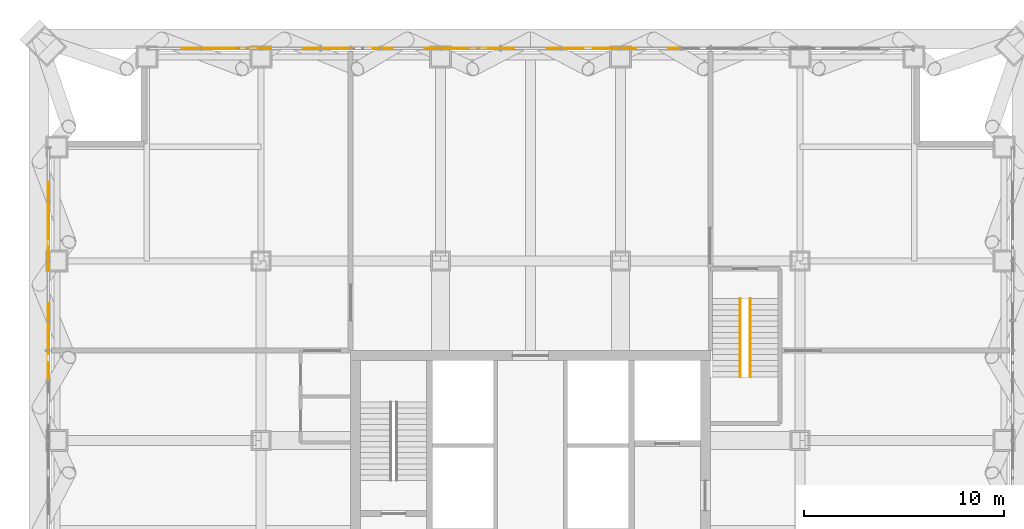
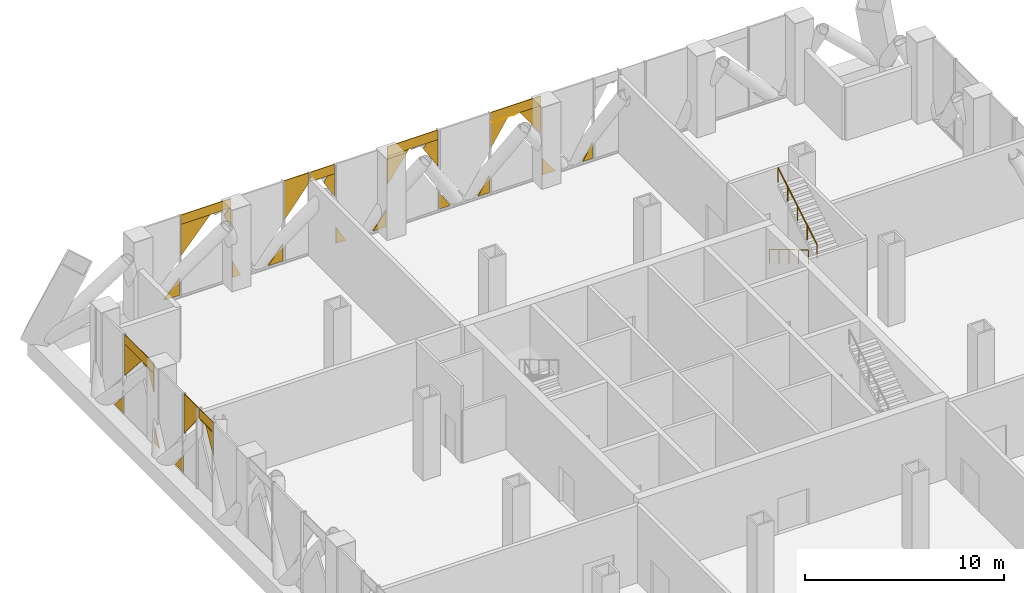
# One storey, part 18 of 29: 33 coverings, 2 railings.
"""IFC4 building model written with IfcOpenShell, lengths in metres."""

import ifcopenshell
import ifcopenshell.guid

model = None  # the IFC model being written
_history = None  # IfcOwnerHistory: only IFC2X3 demands one
_inside = {}  # id of a spatial element -> (the spatial element, [elements in it])
_under = {}  # id of a project, library or spatial element -> (it, [spatial elements below it])
_declared = {}  # id of a project -> (the project, [libraries it declares])
_typed = {}  # id of a type object -> (the type object, [elements of that type])
_made_of = {}  # id of a material, layer set ... -> (it, [elements and type objects made of it])


def new_model(schema):
    """Start an empty IFC model of exactly this schema.

    Asked for "IFC4X3", IfcOpenShell would pick the latest addendum, in which some entities
    have other attributes; the version numbers below select the first issue.
    IFC2X3 requires an IfcOwnerHistory on every rooted entity: one is made here for all.
    """
    global model, _history
    if schema == "IFC4X3":
        model = ifcopenshell.file(schema_version=(4, 3, 0, 0))
    else:
        model = ifcopenshell.file(schema=schema)
    _inside.clear()
    _under.clear()
    _declared.clear()
    _typed.clear()
    _made_of.clear()
    _history = None
    if model.schema == "IFC2X3":
        org = make("IfcOrganization", Name="unknown")
        user = make(
            "IfcPersonAndOrganization",
            ThePerson=make("IfcPerson", FamilyName="unknown"),
            TheOrganization=org,
        )
        app = make(
            "IfcApplication",
            ApplicationDeveloper=org,
            Version="unknown",
            ApplicationFullName="unknown",
            ApplicationIdentifier="unknown",
        )
        _history = make(
            "IfcOwnerHistory",
            OwningUser=user,
            OwningApplication=app,
            ChangeAction="ADDED",
            CreationDate=0,
        )
    return model


def make(cls, **values):
    """One entity of the class cls with the attributes given. An attribute that is None is left unset."""
    return model.create_entity(
        cls, **{name: value for name, value in values.items() if value is not None}
    )


def rooted(cls, **values):
    """An entity with a GlobalId (a new one), such as an element, a storey or a relation."""
    return make(cls, GlobalId=ifcopenshell.guid.new(), OwnerHistory=_history, **values)


def si_unit(unit_type, name, prefix=None):
    """IfcSIUnit, for example si_unit("LENGTHUNIT", "METRE", prefix="MILLI")."""
    return make("IfcSIUnit", UnitType=unit_type, Prefix=prefix, Name=name)


def assignment(units):
    """IfcUnitAssignment: the units of a project."""
    return None if units is None else make("IfcUnitAssignment", Units=units)


def point(xyz):
    """IfcCartesianPoint."""
    return None if xyz is None else make("IfcCartesianPoint", Coordinates=xyz)


def direction(xyz):
    """IfcDirection."""
    return None if xyz is None else make("IfcDirection", DirectionRatios=xyz)


def frame(location, z_axis=None, x_axis=None):
    """IfcAxis2Placement3D, a coordinate frame: its origin and axes. An axis left out is left unset."""
    return make(
        "IfcAxis2Placement3D",
        Location=point(location),
        Axis=direction(z_axis),
        RefDirection=direction(x_axis),
    )


def frame_2d(location, x_axis=None):
    """IfcAxis2Placement2D, a coordinate frame in the plane: its origin and x axis."""
    return make(
        "IfcAxis2Placement2D", Location=point(location), RefDirection=direction(x_axis)
    )


def origin():
    """The frame at (0, 0, 0) with its axes left unset."""
    return frame((0.0, 0.0, 0.0))


def origin_2d():
    """The frame at (0, 0) in the plane with its x axis left unset."""
    return frame_2d((0.0, 0.0))


def place(relative_to, where):
    """IfcLocalPlacement: puts the frame where relative to a parent placement (None: the world)."""
    return make(
        "IfcLocalPlacement", PlacementRelTo=relative_to, RelativePlacement=where
    )


def context(
    kind, dimensions, precision=None, world=None, true_north=None, identifier=None
):
    """IfcGeometricRepresentationContext, for example the 3D "Model" context."""
    return make(
        "IfcGeometricRepresentationContext",
        ContextIdentifier=identifier,
        ContextType=kind,
        CoordinateSpaceDimension=dimensions,
        Precision=precision,
        WorldCoordinateSystem=world,
        TrueNorth=true_north,
    )


def subcontext(parent, identifier, kind, view, scale=None):
    """IfcGeometricRepresentationSubContext, for example "Body" below "Model"."""
    return make(
        "IfcGeometricRepresentationSubContext",
        ContextIdentifier=identifier,
        ContextType=kind,
        ParentContext=parent,
        TargetScale=scale,
        TargetView=view,
    )


def project(units=None, contexts=None):
    """IfcProject with its units and contexts."""
    return rooted(
        "IfcProject",
        Name="project",
        RepresentationContexts=contexts,
        UnitsInContext=assignment(units),
    )


def spatial(cls, under=None, at=None, **own):
    """A site, building, storey or space (cls), placed at a placement, below another one or the project."""
    s = rooted(cls, ObjectPlacement=at, **own)
    if under is not None:
        _under.setdefault(under.id(), (under, []))[1].append(s)
    return s


def polyline(points):
    """IfcPolyline through the points."""
    return make("IfcPolyline", Points=[point(p) for p in points])


def profile(cls, at=None, kind="AREA", **sizes):
    """A parametric profile (cls). Its sizes go by their IFC names, for example OverallWidth=200.0."""
    return make(cls, ProfileType=kind, Position=at, **sizes)


def circle(**sizes):
    """IfcCircleProfileDef."""
    return profile("IfcCircleProfileDef", **sizes)


def outline(outer, holes=None, kind="AREA"):
    """IfcArbitraryClosedProfileDef: a profile drawn as a closed curve; with holes, ...WithVoids."""
    if holes is None:
        return make("IfcArbitraryClosedProfileDef", ProfileType=kind, OuterCurve=outer)
    return make(
        "IfcArbitraryProfileDefWithVoids",
        ProfileType=kind,
        OuterCurve=outer,
        InnerCurves=holes,
    )


def extrude(swept, where, along, depth):
    """IfcExtrudedAreaSolid: the profile swept, set in the frame where, extruded along a direction by depth."""
    return make(
        "IfcExtrudedAreaSolid",
        SweptArea=swept,
        Position=where,
        ExtrudedDirection=direction(along),
        Depth=depth,
    )


def shape(context_of_items, identifier, shape_type, items):
    """IfcShapeRepresentation: the items that make up one representation, for example the "Body"."""
    return make(
        "IfcShapeRepresentation",
        ContextOfItems=context_of_items,
        RepresentationIdentifier=identifier,
        RepresentationType=shape_type,
        Items=items,
    )


def material(Name=None, Category=None):
    """IfcMaterial."""
    return make("IfcMaterial", Name=Name, Category=Category)


def layer(
    of_material, thickness, ventilated=None, Name=None, Category=None, Priority=None
):
    """IfcMaterialLayer: one layer of a wall or slab, of a material (None: an air gap)."""
    return make(
        "IfcMaterialLayer",
        Material=of_material,
        LayerThickness=thickness,
        IsVentilated=ventilated,
        Name=Name,
        Category=Category,
        Priority=Priority,
    )


def layer_set(layers, Name=None):
    """IfcMaterialLayerSet."""
    return make("IfcMaterialLayerSet", MaterialLayers=layers, LayerSetName=Name)


def made_of(thing, what):
    """Note that an element or type object is made of a material, layer set ...; save() writes the relation."""
    if what is not None:
        _made_of.setdefault(what.id(), (what, []))[1].append(thing)
    return thing


def type_object(cls, material=None, **own):
    """A type object (cls), such as IfcWallType, which elements share."""
    return made_of(rooted(cls, **own), material)


def element(
    cls,
    number,
    at=None,
    inside=None,
    cuts=None,
    type_object=None,
    material=None,
    context=None,
    identifier="Body",
    shape_type=None,
    held_by="IfcProductDefinitionShape",
    body=None,
    shapes=None,
    **own,
):
    """One element of the class cls, such as IfcWall. Its Tag is "e" and its number.

    at: its placement. inside: the storey or other place that contains it. cuts: it is an
    opening in that element (IfcRelVoidsElement). A single representation is given by context,
    identifier, shape_type and body (its items); several are given by shapes. held_by: the class
    of the entity that holds the representations. save() writes the other relations.
    """
    e = rooted(cls, Tag="e%d" % number, ObjectPlacement=at, **own)
    if body is not None:
        shapes = [shape(context, identifier, shape_type, body)]
    if shapes is not None:
        e.Representation = make(held_by, Representations=shapes)
    if inside is not None:
        _inside.setdefault(inside.id(), (inside, []))[1].append(e)
    if cuts is not None:
        rooted(
            "IfcRelVoidsElement", RelatingBuildingElement=cuts, RelatedOpeningElement=e
        )
    if type_object is not None:
        _typed.setdefault(type_object.id(), (type_object, []))[1].append(e)
    return made_of(e, material)


def aggregate(whole, parts):
    """IfcRelAggregates: a whole, such as a stair, and the parts it consists of."""
    return rooted("IfcRelAggregates", RelatingObject=whole, RelatedObjects=parts)


def save(model, path):
    """Write the relations noted so far, then the file.

    IfcRelAggregates (storeys below a building ...), IfcRelContainedInSpatialStructure (elements
    in a storey), IfcRelDefinesByType, IfcRelAssociatesMaterial and IfcRelDeclares: one each for
    every whole, place, type object, material and project.
    """
    for whole, parts in _under.values():
        aggregate(whole, parts)
    for where, things in _inside.values():
        rooted(
            "IfcRelContainedInSpatialStructure",
            RelatedElements=things,
            RelatingStructure=where,
        )
    for kind, things in _typed.values():
        rooted("IfcRelDefinesByType", RelatedObjects=things, RelatingType=kind)
    for what, things in _made_of.values():
        rooted("IfcRelAssociatesMaterial", RelatedObjects=things, RelatingMaterial=what)
    for by, libraries in _declared.values():
        rooted("IfcRelDeclares", RelatingContext=by, RelatedDefinitions=libraries)
    model.write(path)


model = new_model("IFC4")

# Units and contexts
model_context = context("Model", 3, precision=1e-05, world=origin(), true_north=direction((0.0, 1.0)))
body_context = subcontext(model_context, "Body", "Model", "MODEL_VIEW")
ifc_project = project(units=[si_unit("LENGTHUNIT", "METRE"), si_unit("AREAUNIT", "SQUARE_METRE"), si_unit("VOLUMEUNIT", "CUBIC_METRE"), si_unit("PLANEANGLEUNIT", "RADIAN"), si_unit("MASSUNIT", "GRAM", prefix="KILO")], contexts=[model_context])

# Site, building, storey
site_placement = place(None, origin())
site = spatial("IfcSite", under=ifc_project, at=site_placement, CompositionType="ELEMENT")
building_placement = place(site_placement, origin())
building = spatial("IfcBuilding", under=site, at=building_placement, Name="Malebo Sky Hospital", CompositionType="ELEMENT")
storey_placement = place(building_placement, frame((0.0, 0.0, 172.0)))
storey = spatial("IfcBuildingStorey", under=building, at=storey_placement, Name="L41", CompositionType="ELEMENT", Elevation=172.0)

# Coverings
ifc_material_1 = material(Name="Anodised aluminium, natural silver insulated infill panel", Category="aluminium")
ifc_layer = layer(ifc_material_1, 0.0400390625)
ifc_layer_set = layer_set([ifc_layer], Name="BRACE INFILL PANEL 40")
covering_type = type_object("IfcCoveringType", Name="BRACE INFILL PANEL 40", PredefinedType="CLADDING", material=ifc_layer_set)
covering_1_placement = place(storey_placement, frame((42.998046875, 86.135009765625, 0.10009765625), z_axis=(0.0, 0.0, 1.0), x_axis=(1.0, 0.0, 0.0)))
element("IfcCovering", 1, at=covering_1_placement, inside=storey, type_object=covering_type, Name="Brace infill panel 1.1", PredefinedType="CLADDING", context=body_context, shape_type="SweptSolid", body=[
    extrude(outline(polyline([(-0.46435546875, 0.0), (0.46435546875, 0.0), (0.46435546875, 1.052978515625), (-0.46435546875, 0.0)])), frame((0.0, 0.02001953125, 0.0), z_axis=(0.0, -1.0, 0.0), x_axis=(1.0, 0.0, 0.0)), (0.0, 0.0, 1.0), 0.0400390625),
])
covering_2_placement = place(storey_placement, frame((44.397216796875, 86.135009765625, 2.46923828125), z_axis=(0.0, 0.0, 1.0), x_axis=(1.0, 0.0, 0.0)))
element("IfcCovering", 2, at=covering_2_placement, inside=storey, type_object=covering_type, Name="Brace infill panel 2.1", PredefinedType="CLADDING", context=body_context, shape_type="SweptSolid", body=[
    extrude(outline(polyline([(-0.85986328125, 0.0), (0.859619140625, 1.94970703125), (-0.85986328125, 1.94970703125), (-0.85986328125, 0.0)])), frame((0.0, 0.02001953125, 0.0), z_axis=(0.0, -1.0, 0.0), x_axis=(1.0, 0.0, 0.0)), (0.0, 0.0, 1.0), 0.0400390625),
])
covering_3_placement = place(storey_placement, frame((46.253173828125, 86.135009765625, 3.1884765625), z_axis=(0.0, 0.0, 1.0), x_axis=(1.0, 0.0, 0.0)))
element("IfcCovering", 3, at=covering_3_placement, inside=storey, type_object=covering_type, Name="Brace infill panel 2.2", PredefinedType="CLADDING", context=body_context, shape_type="SweptSolid", body=[
    extrude(outline(polyline([(0.20947265625, 0.0), (0.20947265625, 1.230712890625), (0.089599609375, 1.230712890625), (-0.20947265625, 0.8916015625), (0.20947265625, 0.0)])), frame((0.0, 0.02001953125, 0.0), z_axis=(0.0, -1.0, 0.0), x_axis=(1.0, 0.0, 0.0)), (0.0, 0.0, 1.0), 0.0400390625),
])
covering_4_placement = place(storey_placement, frame((45.0, 86.135009765625, 4.419189453125), z_axis=(0.0, 0.0, 1.0), x_axis=(1.0, 0.0, 0.0)))
element("IfcCovering", 4, at=covering_4_placement, inside=storey, type_object=covering_type, Name="Brace infill panel 2.3", PredefinedType="CLADDING", context=body_context, shape_type="SweptSolid", body=[
    extrude(outline(polyline([(-1.46240234375, 0.0), (1.46240234375, 0.0), (1.46240234375, 0.57080078125), (-1.46240234375, 0.57080078125), (-1.46240234375, 0.0)])), frame((0.0, 0.02001953125, 0.0), z_axis=(0.0, -1.0, 0.0), x_axis=(1.0, 0.0, 0.0)), (0.0, 0.0, 1.0), 0.0400390625),
])
covering_5_placement = place(storey_placement, frame((46.777099609375, 86.135009765625, 0.10009765625), z_axis=(0.0, 0.0, 1.0), x_axis=(1.0, 0.0, 0.0)))
element("IfcCovering", 5, at=covering_5_placement, inside=storey, type_object=covering_type, Name="Brace infill panel 3.1", PredefinedType="CLADDING", context=body_context, shape_type="SweptSolid", body=[
    extrude(outline(polyline([(-0.23974609375, 0.0), (0.239501953125, 0.0), (-0.23974609375, 1.020263671875), (-0.23974609375, 0.0)])), frame((0.0, 0.02001953125, 0.0), z_axis=(0.0, -1.0, 0.0), x_axis=(1.0, 0.0, 0.0)), (0.0, 0.0, 1.0), 0.0400390625),
])
covering_6_placement = place(storey_placement, frame((49.042724609375, 86.135009765625, 0.099853515625), z_axis=(0.0, 0.0, 1.0), x_axis=(1.0, 0.0, 0.0)))
element("IfcCovering", 6, at=covering_6_placement, inside=storey, type_object=covering_type, Name="Brace infill panel 3.2", PredefinedType="CLADDING", context=body_context, shape_type="SweptSolid", body=[
    extrude(outline(polyline([(-0.419921875, 0.0), (0.419921875, 0.0), (0.419921875, 1.05029296875), (-0.419921875, 0.0)])), frame((0.0, 0.02001953125, 0.0), z_axis=(0.0, -1.0, 0.0), x_axis=(1.0, 0.0, 0.0)), (0.0, 0.0, 1.0), 0.0400390625),
])
covering_7_placement = place(storey_placement, frame((50.25, 86.135009765625, 2.552978515625), z_axis=(0.0, 0.0, 1.0), x_axis=(1.0, 0.0, 0.0)))
element("IfcCovering", 7, at=covering_7_placement, inside=storey, type_object=covering_type, Name="Brace infill panel 4.1", PredefinedType="CLADDING", context=body_context, shape_type="SweptSolid", body=[
    extrude(outline(polyline([(-0.71240234375, 0.0), (0.71240234375, 1.782470703125), (0.71240234375, 2.43701171875), (-0.71240234375, 2.43701171875), (-0.71240234375, 0.0)])), frame((0.0, 0.02001953125, 0.0), z_axis=(0.0, -1.0, 0.0), x_axis=(1.0, 0.0, 0.0)), (0.0, 0.0, 1.0), 0.0400390625),
])
covering_8_placement = place(storey_placement, frame((52.14501953125, 86.135009765625, 2.95947265625), z_axis=(0.0, 0.0, 1.0), x_axis=(1.0, 0.0, 0.0)))
element("IfcCovering", 8, at=covering_8_placement, inside=storey, type_object=covering_type, Name="Brace infill panel 5.1", PredefinedType="CLADDING", context=body_context, shape_type="SweptSolid", body=[
    extrude(outline(polyline([(0.3173828125, 0.0), (0.3173828125, 1.448486328125), (-0.078125, 1.448486328125), (-0.3173828125, 1.1494140625), (0.3173828125, 0.0)])), frame((0.0, 0.02001953125, 0.0), z_axis=(0.0, -1.0, 0.0), x_axis=(1.0, 0.0, 0.0)), (0.0, 0.0, 1.0), 0.0400390625),
])
covering_9_placement = place(storey_placement, frame((51.75, 86.135009765625, 4.407958984375), z_axis=(0.0, 0.0, 1.0), x_axis=(1.0, 0.0, 0.0)))
element("IfcCovering", 9, at=covering_9_placement, inside=storey, type_object=covering_type, Name="Brace infill panel 5.2", PredefinedType="CLADDING", context=body_context, shape_type="SweptSolid", body=[
    extrude(outline(polyline([(-0.71240234375, 0.0), (0.71240234375, 0.0), (0.71240234375, 0.58203125), (-0.71240234375, 0.58203125), (-0.71240234375, 0.0)])), frame((0.0, 0.02001953125, 0.0), z_axis=(0.0, -1.0, 0.0), x_axis=(1.0, 0.0, 0.0)), (0.0, 0.0, 1.0), 0.0400390625),
])
covering_10_placement = place(storey_placement, frame((52.822021484375, 86.135009765625, 0.10009765625), z_axis=(0.0, 0.0, 1.0), x_axis=(1.0, 0.0, 0.0)))
element("IfcCovering", 10, at=covering_10_placement, inside=storey, type_object=covering_type, Name="Brace infill panel 6.1", PredefinedType="CLADDING", context=body_context, shape_type="SweptSolid", body=[
    extrude(outline(polyline([(-0.284423828125, 0.0), (0.284423828125, 0.0), (-0.284423828125, 1.0302734375), (-0.284423828125, 0.0)])), frame((0.0, 0.02001953125, 0.0), z_axis=(0.0, -1.0, 0.0), x_axis=(1.0, 0.0, 0.0)), (0.0, 0.0, 1.0), 0.0400390625),
])
covering_11_placement = place(storey_placement, frame((55.087646484375, 86.135009765625, 0.10009765625), z_axis=(0.0, 0.0, 1.0), x_axis=(1.0, 0.0, 0.0)))
element("IfcCovering", 11, at=covering_11_placement, inside=storey, type_object=covering_type, Name="Brace infill panel 6.2", PredefinedType="CLADDING", context=body_context, shape_type="SweptSolid", body=[
    extrude(outline(polyline([(-0.374755859375, 0.0), (0.374755859375, 0.0), (0.374755859375, 1.04541015625), (-0.374755859375, 0.0)])), frame((0.0, 0.02001953125, 0.0), z_axis=(0.0, -1.0, 0.0), x_axis=(1.0, 0.0, 0.0)), (0.0, 0.0, 1.0), 0.0400390625),
])
covering_12_placement = place(storey_placement, frame((56.160888671875, 86.135009765625, 2.65673828125), z_axis=(0.0, 0.0, 1.0), x_axis=(1.0, 0.0, 0.0)))
element("IfcCovering", 12, at=covering_12_placement, inside=storey, type_object=covering_type, Name="Brace infill panel 7.1", PredefinedType="CLADDING", context=body_context, shape_type="SweptSolid", body=[
    extrude(outline(polyline([(-0.62353515625, 0.0), (0.623291015625, 1.739013671875), (-0.62353515625, 1.739013671875), (-0.62353515625, 0.0)])), frame((0.0, 0.02001953125, 0.0), z_axis=(0.0, -1.0, 0.0), x_axis=(1.0, 0.0, 0.0)), (0.0, 0.0, 1.0), 0.0400390625),
])
covering_13_placement = place(storey_placement, frame((58.034912109375, 86.135009765625, 2.78857421875), z_axis=(0.0, 0.0, 1.0), x_axis=(1.0, 0.0, 0.0)))
element("IfcCovering", 13, at=covering_13_placement, inside=storey, type_object=covering_type, Name="Brace infill panel 7.2", PredefinedType="CLADDING", context=body_context, shape_type="SweptSolid", body=[
    extrude(outline(polyline([(0.427734375, 0.0), (0.427734375, 1.607177734375), (-0.24169921875, 1.607177734375), (-0.427734375, 1.347900390625), (0.427734375, 0.0)])), frame((0.0, 0.02001953125, 0.0), z_axis=(0.0, -1.0, 0.0), x_axis=(1.0, 0.0, 0.0)), (0.0, 0.0, 1.0), 0.0400390625),
])
covering_14_placement = place(storey_placement, frame((57.0, 86.135009765625, 4.3955078125), z_axis=(0.0, 0.0, 1.0), x_axis=(1.0, 0.0, 0.0)))
element("IfcCovering", 14, at=covering_14_placement, inside=storey, type_object=covering_type, Name="Brace infill panel 7.3", PredefinedType="CLADDING", context=body_context, shape_type="SweptSolid", body=[
    extrude(outline(polyline([(-1.46240234375, 0.0), (1.46240234375, 0.0), (1.46240234375, 0.594482421875), (-1.46240234375, 0.594482421875), (-1.46240234375, 0.0)])), frame((0.0, 0.02001953125, 0.0), z_axis=(0.0, -1.0, 0.0), x_axis=(1.0, 0.0, 0.0)), (0.0, 0.0, 1.0), 0.0400390625),
])
covering_15_placement = place(storey_placement, frame((58.8671875, 86.135009765625, 0.10009765625), z_axis=(0.0, 0.0, 1.0), x_axis=(1.0, 0.0, 0.0)))
element("IfcCovering", 15, at=covering_15_placement, inside=storey, type_object=covering_type, Name="Brace infill panel 8.1", PredefinedType="CLADDING", context=body_context, shape_type="SweptSolid", body=[
    extrude(outline(polyline([(-0.32958984375, 0.0), (0.32958984375, 0.0), (-0.32958984375, 1.038818359375), (-0.32958984375, 0.0)])), frame((0.0, 0.02001953125, 0.0), z_axis=(0.0, -1.0, 0.0), x_axis=(1.0, 0.0, 0.0)), (0.0, 0.0, 1.0), 0.0400390625),
])
covering_16_placement = place(storey_placement, frame((61.1328125, 86.135009765625, 0.10009765625), z_axis=(0.0, 0.0, 1.0), x_axis=(1.0, 0.0, 0.0)))
element("IfcCovering", 16, at=covering_16_placement, inside=storey, type_object=covering_type, Name="Brace infill panel 8.2", PredefinedType="CLADDING", context=body_context, shape_type="SweptSolid", body=[
    extrude(outline(polyline([(-0.32958984375, 0.0), (0.32958984375, 0.0), (0.32958984375, 1.038818359375), (-0.32958984375, 0.0)])), frame((0.0, 0.02001953125, 0.0), z_axis=(0.0, -1.0, 0.0), x_axis=(1.0, 0.0, 0.0)), (0.0, 0.0, 1.0), 0.0400390625),
])
covering_17_placement = place(storey_placement, frame((63.839111328125, 86.135009765625, 2.65673828125), z_axis=(0.0, 0.0, 1.0), x_axis=(1.0, 0.0, 0.0)))
element("IfcCovering", 17, at=covering_17_placement, inside=storey, type_object=covering_type, Name="Brace infill panel 9.1", PredefinedType="CLADDING", context=body_context, shape_type="SweptSolid", body=[
    extrude(outline(polyline([(0.62353515625, 0.0), (0.62353515625, 1.739013671875), (-0.623291015625, 1.739013671875), (0.62353515625, 0.0)])), frame((0.0, 0.02001953125, 0.0), z_axis=(0.0, -1.0, 0.0), x_axis=(1.0, 0.0, 0.0)), (0.0, 0.0, 1.0), 0.0400390625),
])
covering_18_placement = place(storey_placement, frame((62.043212890625, 86.135009765625, 2.788330078125), z_axis=(0.0, 0.0, 1.0), x_axis=(1.0, 0.0, 0.0)))
element("IfcCovering", 18, at=covering_18_placement, inside=storey, type_object=covering_type, Name="Brace infill panel 9.2", PredefinedType="CLADDING", context=body_context, shape_type="SweptSolid", body=[
    extrude(outline(polyline([(-0.505615234375, 0.0), (0.505615234375, 1.59375), (-0.505615234375, 1.59375), (-0.505615234375, 0.0)])), frame((0.0, 0.02001953125, 0.0), z_axis=(0.0, -1.0, 0.0), x_axis=(1.0, 0.0, 0.0)), (0.0, 0.0, 1.0), 0.0400390625),
])
covering_19_placement = place(storey_placement, frame((63.0, 86.135009765625, 4.3955078125), z_axis=(0.0, 0.0, 1.0), x_axis=(1.0, 0.0, 0.0)))
element("IfcCovering", 19, at=covering_19_placement, inside=storey, type_object=covering_type, Name="Brace infill panel 9.3", PredefinedType="CLADDING", context=body_context, shape_type="SweptSolid", body=[
    extrude(outline(polyline([(-1.46240234375, 0.0), (1.46240234375, 0.0), (1.46240234375, 0.594482421875), (-1.46240234375, 0.594482421875), (-1.46240234375, 0.0)])), frame((0.0, 0.02001953125, 0.0), z_axis=(0.0, -1.0, 0.0), x_axis=(1.0, 0.0, 0.0)), (0.0, 0.0, 1.0), 0.0400390625),
])
covering_20_placement = place(storey_placement, frame((62.305419921875, 86.135009765625, 4.38232421875), z_axis=(0.0, 0.0, 1.0), x_axis=(1.0, 0.0, 0.0)))
element("IfcCovering", 20, at=covering_20_placement, inside=storey, type_object=covering_type, Name="Brace infill panel 9.5", PredefinedType="CLADDING", context=body_context, shape_type="SweptSolid", body=[
    extrude(outline(polyline([(-0.767822265625, 0.0), (0.7431640625, 0.0), (0.767578125, 0.013427734375), (-0.767822265625, 0.013427734375), (-0.767822265625, 0.0)])), frame((0.0, 0.02001953125, 0.0), z_axis=(0.0, -1.0, 0.0), x_axis=(1.0, 0.0, 0.0)), (0.0, 0.0, 1.0), 0.0400390625),
])
covering_21_placement = place(storey_placement, frame((64.912353515625, 86.135009765625, 0.10009765625), z_axis=(0.0, 0.0, 1.0), x_axis=(1.0, 0.0, 0.0)))
element("IfcCovering", 21, at=covering_21_placement, inside=storey, type_object=covering_type, Name="Brace infill panel 10.1", PredefinedType="CLADDING", context=body_context, shape_type="SweptSolid", body=[
    extrude(outline(polyline([(-0.374755859375, 0.0), (0.374755859375, 0.0), (-0.374755859375, 1.04541015625), (-0.374755859375, 0.0)])), frame((0.0, 0.02001953125, 0.0), z_axis=(0.0, -1.0, 0.0), x_axis=(1.0, 0.0, 0.0)), (0.0, 0.0, 1.0), 0.0400390625),
])
covering_22_placement = place(storey_placement, frame((67.177978515625, 86.135009765625, 0.10009765625), z_axis=(0.0, 0.0, 1.0), x_axis=(1.0, 0.0, 0.0)))
element("IfcCovering", 22, at=covering_22_placement, inside=storey, type_object=covering_type, Name="Brace infill panel 10.2", PredefinedType="CLADDING", context=body_context, shape_type="SweptSolid", body=[
    extrude(outline(polyline([(-0.284423828125, 0.0), (0.284423828125, 0.0), (0.284423828125, 1.0302734375), (-0.284423828125, 0.0)])), frame((0.0, 0.02001953125, 0.0), z_axis=(0.0, -1.0, 0.0), x_axis=(1.0, 0.0, 0.0)), (0.0, 0.0, 1.0), 0.0400390625),
])
covering_23_placement = place(storey_placement, frame((35.864990234375, 69.926513671875, 2.95947265625), z_axis=(0.0, 0.0, 1.0), x_axis=(0.0, 1.0, 0.0)))
element("IfcCovering", 23, at=covering_23_placement, inside=storey, type_object=covering_type, Name="Brace infill panel 11.1", PredefinedType="CLADDING", context=body_context, shape_type="SweptSolid", body=[
    extrude(outline(polyline([(-0.388916015625, 0.0), (0.388916015625, 1.408447265625), (-0.388916015625, 1.408447265625), (-0.388916015625, 0.0)])), frame((0.0, 0.02001953125, 0.0), z_axis=(0.0, -1.0, 0.0), x_axis=(1.0, 0.0, 0.0)), (0.0, 0.0, 1.0), 0.0400390625),
])
covering_24_placement = place(storey_placement, frame((35.864990234375, 70.25, 4.407958984375), z_axis=(0.0, 0.0, 1.0), x_axis=(0.0, 1.0, 0.0)))
element("IfcCovering", 24, at=covering_24_placement, inside=storey, type_object=covering_type, Name="Brace infill panel 11.2", PredefinedType="CLADDING", context=body_context, shape_type="SweptSolid", body=[
    extrude(outline(polyline([(-0.71240234375, 0.0), (0.71240234375, 0.0), (0.71240234375, 0.58203125), (-0.71240234375, 0.58203125), (-0.71240234375, 0.0)])), frame((0.0, 0.02001953125, 0.0), z_axis=(0.0, -1.0, 0.0), x_axis=(1.0, 0.0, 0.0)), (0.0, 0.0, 1.0), 0.0400390625),
])
covering_25_placement = place(storey_placement, frame((35.864990234375, 70.192626953125, 4.36767578125), z_axis=(0.0, 0.0, 1.0), x_axis=(0.0, 1.0, 0.0)))
element("IfcCovering", 25, at=covering_25_placement, inside=storey, type_object=covering_type, Name="Brace infill panel 11.4", PredefinedType="CLADDING", context=body_context, shape_type="SweptSolid", body=[
    extrude(outline(polyline([(-0.6552734375, 0.0), (0.5888671875, 0.0), (0.6552734375, 0.040283203125), (-0.6552734375, 0.040283203125), (-0.6552734375, 0.0)])), frame((0.0, 0.02001953125, 0.0), z_axis=(0.0, -1.0, 0.0), x_axis=(1.0, 0.0, 0.0)), (0.0, 0.0, 1.0), 0.0400390625),
])
covering_26_placement = place(storey_placement, frame((35.864990234375, 71.75, 2.552978515625), z_axis=(0.0, 0.0, 1.0), x_axis=(0.0, 1.0, 0.0)))
element("IfcCovering", 26, at=covering_26_placement, inside=storey, type_object=covering_type, Name="Brace infill panel 12.1", PredefinedType="CLADDING", context=body_context, shape_type="SweptSolid", body=[
    extrude(outline(polyline([(0.71240234375, 0.0), (0.71240234375, 2.43701171875), (-0.71240234375, 2.43701171875), (-0.71240234375, 1.782470703125), (0.71240234375, 0.0)])), frame((0.0, 0.02001953125, 0.0), z_axis=(0.0, -1.0, 0.0), x_axis=(1.0, 0.0, 0.0)), (0.0, 0.0, 1.0), 0.0400390625),
])
covering_27_placement = place(storey_placement, frame((35.864990234375, 72.957275390625, 0.099853515625), z_axis=(0.0, 0.0, 1.0), x_axis=(0.0, 1.0, 0.0)))
element("IfcCovering", 27, at=covering_27_placement, inside=storey, type_object=covering_type, Name="Brace infill panel 13.1", PredefinedType="CLADDING", context=body_context, shape_type="SweptSolid", body=[
    extrude(outline(polyline([(-0.419921875, 0.0), (0.419921875, 0.0), (-0.419921875, 1.05029296875), (-0.419921875, 0.0)])), frame((0.0, 0.02001953125, 0.0), z_axis=(0.0, -1.0, 0.0), x_axis=(1.0, 0.0, 0.0)), (0.0, 0.0, 1.0), 0.0400390625),
])
covering_28_placement = place(storey_placement, frame((35.864990234375, 75.222900390625, 0.10009765625), z_axis=(0.0, 0.0, 1.0), x_axis=(0.0, 1.0, 0.0)))
element("IfcCovering", 28, at=covering_28_placement, inside=storey, type_object=covering_type, Name="Brace infill panel 13.2", PredefinedType="CLADDING", context=body_context, shape_type="SweptSolid", body=[
    extrude(outline(polyline([(-0.239501953125, 0.0), (0.23974609375, 0.0), (0.23974609375, 1.020263671875), (-0.239501953125, 0.0)])), frame((0.0, 0.02001953125, 0.0), z_axis=(0.0, -1.0, 0.0), x_axis=(1.0, 0.0, 0.0)), (0.0, 0.0, 1.0), 0.0400390625),
])
covering_29_placement = place(storey_placement, frame((35.864990234375, 77.602783203125, 2.46923828125), z_axis=(0.0, 0.0, 1.0), x_axis=(0.0, 1.0, 0.0)))
element("IfcCovering", 29, at=covering_29_placement, inside=storey, type_object=covering_type, Name="Brace infill panel 14.1", PredefinedType="CLADDING", context=body_context, shape_type="SweptSolid", body=[
    extrude(outline(polyline([(0.85986328125, 0.0), (0.85986328125, 1.94970703125), (-0.859619140625, 1.94970703125), (0.85986328125, 0.0)])), frame((0.0, 0.02001953125, 0.0), z_axis=(0.0, -1.0, 0.0), x_axis=(1.0, 0.0, 0.0)), (0.0, 0.0, 1.0), 0.0400390625),
])
covering_30_placement = place(storey_placement, frame((35.864990234375, 75.810791015625, 3.1884765625), z_axis=(0.0, 0.0, 1.0), x_axis=(0.0, 1.0, 0.0)))
element("IfcCovering", 30, at=covering_30_placement, inside=storey, type_object=covering_type, Name="Brace infill panel 14.2", PredefinedType="CLADDING", context=body_context, shape_type="SweptSolid", body=[
    extrude(outline(polyline([(-0.2734375, 0.0), (0.2734375, 1.1640625), (-0.2734375, 1.1640625), (-0.2734375, 0.0)])), frame((0.0, 0.02001953125, 0.0), z_axis=(0.0, -1.0, 0.0), x_axis=(1.0, 0.0, 0.0)), (0.0, 0.0, 1.0), 0.0400390625),
])
covering_31_placement = place(storey_placement, frame((35.864990234375, 77.0, 4.419189453125), z_axis=(0.0, 0.0, 1.0), x_axis=(0.0, 1.0, 0.0)))
element("IfcCovering", 31, at=covering_31_placement, inside=storey, type_object=covering_type, Name="Brace infill panel 14.3", PredefinedType="CLADDING", context=body_context, shape_type="SweptSolid", body=[
    extrude(outline(polyline([(-1.46240234375, 0.0), (1.46240234375, 0.0), (1.46240234375, 0.57080078125), (-1.46240234375, 0.57080078125), (-1.46240234375, 0.0)])), frame((0.0, 0.02001953125, 0.0), z_axis=(0.0, -1.0, 0.0), x_axis=(1.0, 0.0, 0.0)), (0.0, 0.0, 1.0), 0.0400390625),
])
covering_32_placement = place(storey_placement, frame((35.864990234375, 76.0791015625, 4.3525390625), z_axis=(0.0, 0.0, 1.0), x_axis=(0.0, 1.0, 0.0)))
element("IfcCovering", 32, at=covering_32_placement, inside=storey, type_object=covering_type, Name="Brace infill panel 14.5", PredefinedType="CLADDING", context=body_context, shape_type="SweptSolid", body=[
    extrude(outline(polyline([(-0.54150390625, 0.0), (0.441162109375, 0.0), (0.54150390625, 0.066650390625), (-0.54150390625, 0.066650390625), (-0.54150390625, 0.0)])), frame((0.0, 0.02001953125, 0.0), z_axis=(0.0, -1.0, 0.0), x_axis=(1.0, 0.0, 0.0)), (0.0, 0.0, 1.0), 0.0400390625),
])
covering_33_placement = place(storey_placement, frame((35.864990234375, 79.001953125, 0.10009765625), z_axis=(0.0, 0.0, 1.0), x_axis=(0.0, 1.0, 0.0)))
element("IfcCovering", 33, at=covering_33_placement, inside=storey, type_object=covering_type, Name="Brace infill panel 15.1", PredefinedType="CLADDING", context=body_context, shape_type="SweptSolid", body=[
    extrude(outline(polyline([(-0.46435546875, 0.0), (0.46435546875, 0.0), (-0.46435546875, 1.052978515625), (-0.46435546875, 0.0)])), frame((0.0, 0.02001953125, 0.0), z_axis=(0.0, -1.0, 0.0), x_axis=(1.0, 0.0, 0.0)), (0.0, 0.0, 1.0), 0.0400390625),
])

# Railings
ifc_material_2 = material(Name="Stainless steel tube", Category="steel")
railing_type = type_object("IfcRailingType", Name="STAIR HANDRAIL 900", PredefinedType="HANDRAIL", material=ifc_material_2)
railing_1_placement = place(storey_placement, frame((70.5, 73.60009765625, 0.166748046875)))
element("IfcRailing", 34, at=railing_1_placement, inside=storey, type_object=railing_type, Name="Stair handrail S3 flight 1", PredefinedType="HANDRAIL", context=body_context, shape_type="SweptSolid", body=[
    extrude(circle(Radius=0.02392578125, at=origin_2d()), frame((0.0, 0.0, 0.8759765625), z_axis=(0.0, -0.859310244771, 0.511454693235), x_axis=(1.0, 0.0, 0.0)), (0.0, 0.0, 1.0), 4.56201171875),
    extrude(circle(Radius=0.02099609375, at=origin_2d()), origin(), (0.0, 0.0, 1.0), 0.851806640625),
    extrude(circle(Radius=0.02099609375, at=origin_2d()), frame((0.0, -0.97998046875, 0.583251953125)), (0.0, 0.0, 1.0), 0.851806640625),
    extrude(circle(Radius=0.02099609375, at=origin_2d()), frame((0.0, -1.9599609375, 1.16650390625)), (0.0, 0.0, 1.0), 0.851806640625),
    extrude(circle(Radius=0.02099609375, at=origin_2d()), frame((0.0, -2.940185546875, 1.75)), (0.0, 0.0, 1.0), 0.851806640625),
    extrude(circle(Radius=0.02099609375, at=origin_2d()), frame((0.0, -3.920166015625, 2.333251953125)), (0.0, 0.0, 1.0), 0.851806640625),
])
railing_2_placement = place(storey_placement, frame((71.0, 69.679931640625, 2.666748046875)))
element("IfcRailing", 35, at=railing_2_placement, inside=storey, type_object=railing_type, Name="Stair handrail S3 flight 2", PredefinedType="HANDRAIL", context=body_context, shape_type="SweptSolid", body=[
    extrude(circle(Radius=0.02392578125, at=origin_2d()), frame((0.0, 0.0, 0.8759765625), z_axis=(0.0, 0.859310244771, 0.511454693235), x_axis=(-1.0, 0.0, 0.0)), (0.0, 0.0, 1.0), 4.56201171875),
    extrude(circle(Radius=0.02099609375, at=origin_2d()), origin(), (0.0, 0.0, 1.0), 0.851806640625),
    extrude(circle(Radius=0.02099609375, at=origin_2d()), frame((0.0, 0.97998046875, 0.583251953125)), (0.0, 0.0, 1.0), 0.851806640625),
    extrude(circle(Radius=0.02099609375, at=origin_2d()), frame((0.0, 1.9599609375, 1.16650390625)), (0.0, 0.0, 1.0), 0.851806640625),
    extrude(circle(Radius=0.02099609375, at=origin_2d()), frame((0.0, 2.940185546875, 1.75)), (0.0, 0.0, 1.0), 0.851806640625),
    extrude(circle(Radius=0.02099609375, at=origin_2d()), frame((0.0, 3.920166015625, 2.333251953125)), (0.0, 0.0, 1.0), 0.851806640625),
])

save(model, "model.ifc")
